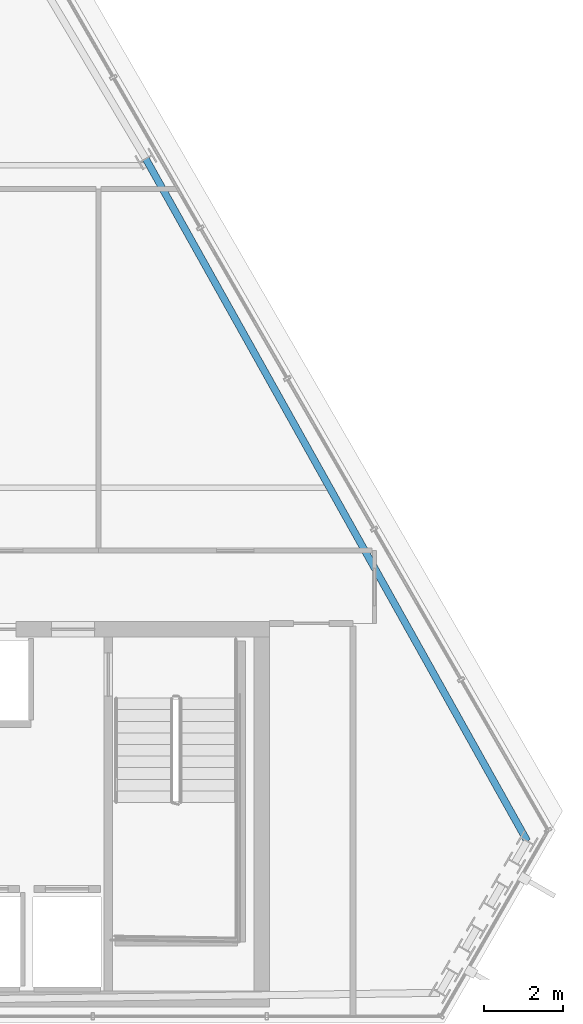
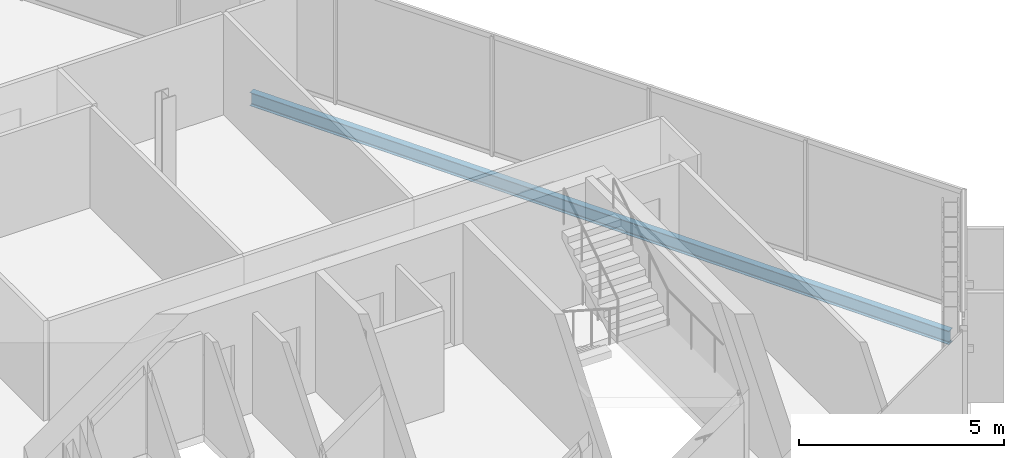
# One storey, part 23 of 34: 1 beam.
"""IFC4 building model written with IfcOpenShell, lengths in metres."""

from ifc_helpers import new_model, si_unit, direction, frame, origin, origin_2d, place, context, subcontext, project, spatial, i_section, extrude, material, material_profile, profile_set, type_object, element, save


model = new_model("IFC4")

# Units and contexts
model_context = context("Model", 3, precision=1e-05, world=origin(), true_north=direction((0.0, 1.0)))
body_context = subcontext(model_context, "Body", "Model", "MODEL_VIEW")
ifc_project = project(units=[si_unit("LENGTHUNIT", "METRE"), si_unit("AREAUNIT", "SQUARE_METRE"), si_unit("VOLUMEUNIT", "CUBIC_METRE"), si_unit("PLANEANGLEUNIT", "RADIAN"), si_unit("MASSUNIT", "GRAM", prefix="KILO")], contexts=[model_context])

# Site, building, storey
site_placement = place(None, origin())
site = spatial("IfcSite", under=ifc_project, at=site_placement, CompositionType="ELEMENT")
building_placement = place(site_placement, origin())
building = spatial("IfcBuilding", under=site, at=building_placement, Name="Ndaravel Arena Tower", CompositionType="ELEMENT")
storey_placement = place(building_placement, frame((0.0, 0.0, 263.60009765625)))
storey = spatial("IfcBuildingStorey", under=building, at=storey_placement, Name="L64", CompositionType="ELEMENT", Elevation=263.60009765625)

# Beam
ifc_material = material(Name="Steel S355", Category="steel")
ifc_material_profile = material_profile(ifc_material, i_section(OverallWidth=0.179931640625, OverallDepth=0.39990234375, WebThickness=0.008544921875, FlangeThickness=0.013427734375, FilletRadius=0.02099609375, at=origin_2d()), Name="IPE 400")
ifc_profile_set = profile_set([ifc_material_profile], Name="Steel S355")
beam_type = type_object("IfcBeamType", Name="BM-SPAN-IPE400", PredefinedType="SPANDREL", material=ifc_profile_set)
beam_placement = place(storey_placement, frame((64.1025390625, 9.61328125, -0.420166015625), z_axis=(-0.48794385324, 0.872875017449, 0.0), x_axis=(-0.872875017449, -0.48794385324, 0.0)))
element("IfcBeam", 1, at=beam_placement, inside=storey, type_object=beam_type, Name="L64 Perimeter Spandrel Beam SP-09", PredefinedType="SPANDREL", context=body_context, shape_type="SweptSolid", body=[
    extrude(i_section(OverallWidth=0.179931640625, OverallDepth=0.39990234375, WebThickness=0.008544921875, FlangeThickness=0.013427734375, FilletRadius=0.02099609375, at=origin_2d()), origin(), (0.0, 0.0, 1.0), 19.877197265625),
])

save(model, "model.ifc")
